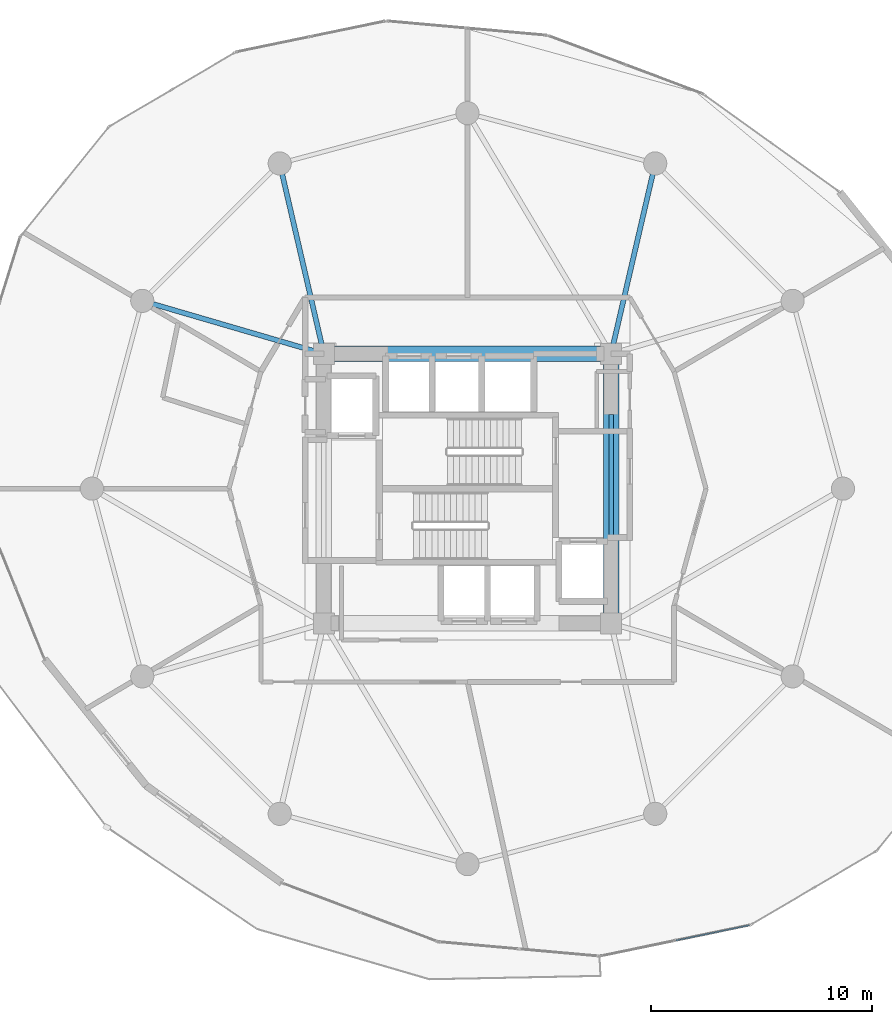
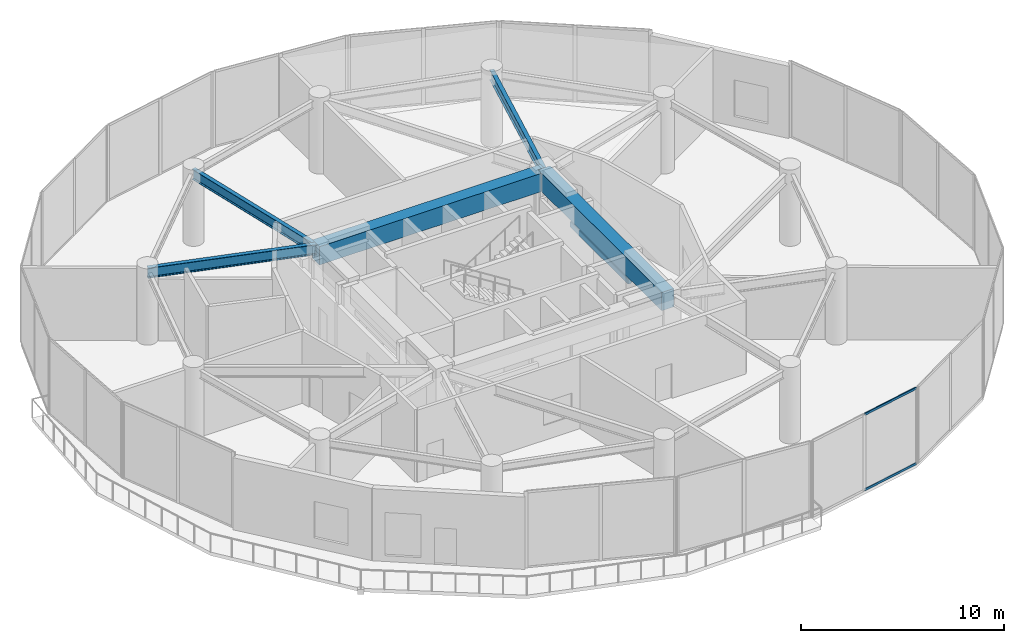
# One storey, part 10 of 28: 6 beams, 2 members, 1 element without a shape of its own.
"""IFC4 building model written with IfcOpenShell, lengths in metres."""

from ifc_helpers import new_model, si_unit, direction, frame, origin, origin_2d, place, context, subcontext, project, spatial, rectangle, hollow_rectangle, i_section, extrude, source, transform, mapped, material, layer, layer_set, material_profile, profile_set, type_object, element, aggregate, save


model = new_model("IFC4")

# Units and contexts
model_context = context("Model", 3, precision=1e-05, world=origin(), true_north=direction((0.0, 1.0)))
body_context = subcontext(model_context, "Body", "Model", "MODEL_VIEW")
ifc_project = project(units=[si_unit("LENGTHUNIT", "METRE"), si_unit("AREAUNIT", "SQUARE_METRE"), si_unit("VOLUMEUNIT", "CUBIC_METRE"), si_unit("PLANEANGLEUNIT", "RADIAN"), si_unit("MASSUNIT", "GRAM", prefix="KILO")], contexts=[model_context])

# Site, building, storey
site_placement = place(None, origin())
site = spatial("IfcSite", under=ifc_project, at=site_placement, CompositionType="ELEMENT")
building_placement = place(site_placement, origin())
building = spatial("IfcBuilding", under=site, at=building_placement, Name="Solvirekh Grand Hotel", CompositionType="ELEMENT")
storey_placement = place(building_placement, frame((0.0, 0.0, 98.0)))
storey = spatial("IfcBuildingStorey", under=building, at=storey_placement, Name="L24", CompositionType="ELEMENT", Elevation=98.0)

# Beams
ifc_material_1 = material(Name="Concrete C60/75", Category="concrete")
ifc_material_profile_1 = material_profile(ifc_material_1, rectangle(XDim=0.699951171875, YDim=1.10009765625, at=origin_2d()), Name="RC BEAM 700X1100")
ifc_profile_set_1 = profile_set([ifc_material_profile_1], Name="Concrete C60/75")
beam_type_1 = type_object("IfcBeamType", Name="Beam_Core_RC1100", PredefinedType="BEAM", material=ifc_profile_set_1)
beam_1_placement = place(storey_placement, frame((6.5, -6.10009765625, 3.800048828125), z_axis=(0.0, 1.0, 0.0), x_axis=(-1.0, 0.0, 0.0)))
element("IfcBeam", 1, at=beam_1_placement, inside=storey, type_object=beam_type_1, Name="L24 core coupling ring beam 2", PredefinedType="BEAM", context=body_context, shape_type="SweptSolid", body=[
    extrude(rectangle(XDim=0.699951171875, YDim=1.10009765625, at=origin_2d()), origin(), (0.0, 0.0, 1.0), 12.2001953125),
])
beam_2_placement = place(storey_placement, frame((6.5, 6.10009765625, 3.800048828125), z_axis=(-1.0, 0.0, 0.0), x_axis=(0.0, -1.0, 0.0)))
element("IfcBeam", 2, at=beam_2_placement, inside=storey, type_object=beam_type_1, Name="L24 core coupling ring beam 3", PredefinedType="BEAM", context=body_context, shape_type="SweptSolid", body=[
    extrude(rectangle(XDim=0.699951171875, YDim=1.10009765625, at=origin_2d()), origin(), (0.0, 0.0, 1.0), 13.0),
])
ifc_material_2 = material(Name="Steel S355", Category="steel")
ifc_material_profile_2 = material_profile(ifc_material_2, i_section(OverallWidth=0.22802734375, OverallDepth=0.616943359375, WebThickness=0.012939453125, FlangeThickness=0.02001953125, FilletRadius=0.014892578125, at=origin_2d()), Name="W610X140")
ifc_profile_set_2 = profile_set([ifc_material_profile_2], Name="Steel S355")
beam_type_2 = type_object("IfcBeamType", Name="Beam_Radial_W610", PredefinedType="BEAM", material=ifc_profile_set_2)
for number, where, z_axis, x_axis, name in (
    (3, (6.5, 6.10009765625, 4.041015625), (0.225969390542, 0.974134402707, 0.0), (-0.974134402707, 0.225969390542, 0.0), "L24 radial floor beam R03"),
    (4, (-6.5, 6.10009765625, 4.041015625), (-0.225969390542, 0.974134402707, 0.0), (-0.974134402707, -0.225969390542, 0.0), "L24 radial floor beam R05"),
):
    element("IfcBeam", number, at=place(storey_placement, frame(where, z_axis=z_axis, x_axis=x_axis)), inside=storey, type_object=beam_type_2, Name=name, PredefinedType="BEAM", context=body_context, shape_type="SweptSolid", body=[
        extrude(i_section(OverallWidth=0.22802734375, OverallDepth=0.616943359375, WebThickness=0.012939453125, FlangeThickness=0.02001953125, FilletRadius=0.014892578125, at=origin_2d()), origin(), (0.0, 0.0, 1.0), 8.850830078125),
    ])
beam_3_placement = place(storey_placement, frame((-6.5, 6.10009765625, 4.041015625), z_axis=(-0.959942195467, 0.28019811092, 0.0), x_axis=(-0.28019811092, -0.959942195467, 0.0)))
element("IfcBeam", 5, at=beam_3_placement, inside=storey, type_object=beam_type_2, Name="L24 radial floor beam R06", PredefinedType="BEAM", context=body_context, shape_type="SweptSolid", body=[
    extrude(i_section(OverallWidth=0.22802734375, OverallDepth=0.616943359375, WebThickness=0.012939453125, FlangeThickness=0.02001953125, FilletRadius=0.014892578125, at=origin_2d()), origin(), (0.0, 0.0, 1.0), 8.56494140625),
])
ifc_material_3 = material(Name="Precast concrete C45/55", Category="concrete")
ifc_material_profile_3 = material_profile(ifc_material_3, rectangle(XDim=0.199951171875, YDim=0.320068359375, at=origin_2d()), Name="RC LINTEL 200X320")
ifc_profile_set_3 = profile_set([ifc_material_profile_3], Name="Precast concrete C45/55")
beam_type_3 = type_object("IfcBeamType", Name="Lintel_RC320", PredefinedType="LINTEL", material=ifc_profile_set_3)
beam_4_placement = place(storey_placement, frame((6.5, -2.35009765625, 2.64990234375), z_axis=(0.0, 1.0, 0.0), x_axis=(-1.0, 0.0, 0.0)))
element("IfcBeam", 6, at=beam_4_placement, inside=storey, type_object=beam_type_3, Name="L24 east core lobby RC lintel", PredefinedType="LINTEL", context=body_context, shape_type="SweptSolid", body=[
    extrude(rectangle(XDim=0.199951171875, YDim=0.320068359375, at=origin_2d()), origin(), (0.0, 0.0, 1.0), 5.7001953125),
])

# Curtain wall, members
ifc_material_4 = material(Name="Anodized Bronze Aluminium 6063-T6", Category="aluminium")
ifc_layer = layer(ifc_material_4, 0.18994140625)
ifc_layer_set = layer_set([ifc_layer], Name="Anodized Bronze Aluminium 6063-T6")
curtain_wall_type = type_object("IfcCurtainWallType", Name="CW_Sys5_SkyLobbyPanoramaCW", PredefinedType="NOTDEFINED", material=ifc_layer_set)
curtain_wall_placement = place(storey_placement, origin())
curtain_wall = element("IfcCurtainWall", 7, at=curtain_wall_placement, inside=storey, type_object=curtain_wall_type, Name="L24 unitised bronze-glass curtain wall CW-L24-C18", PredefinedType="NOTDEFINED")
ifc_material_profile_4 = material_profile(ifc_material_4, hollow_rectangle(XDim=0.06005859375, YDim=0.135009765625, WallThickness=0.00390625, at=origin_2d()), Name="ALU RHS 135X60X4")
ifc_profile_set_4 = profile_set([ifc_material_profile_4], Name="Anodized Bronze Aluminium 6063-T6")
member_type = type_object("IfcMemberType", Name="CWTransom_Sys5", PredefinedType="USERDEFINED", material=ifc_profile_set_4)
shared_shape = source(origin(), body_context, "Body", "SweptSolid", [
    extrude(hollow_rectangle(XDim=0.06005859375, YDim=0.135009765625, WallThickness=0.00390625, at=origin_2d()), origin(), (0.0, 0.0, 1.0), 3.3896484375),
])
member_1_placement = place(storey_placement, frame((9.441162109375, -20.454345703125, 0.030029296875), z_axis=(0.979231337231, 0.202746117557, 0.0), x_axis=(-0.202746117557, 0.979231337231, 0.0)))
member_1 = element("IfcMember", 8, at=member_1_placement, type_object=member_type, Name="U05 transom 2.1", ObjectType="TRANSOM", PredefinedType="USERDEFINED", context=body_context, shape_type="MappedRepresentation", body=[
    mapped(shared_shape, transform((0.0, 0.0, 0.0), x_axis=(1.0, 0.0, 0.0), y_axis=(0.0, 1.0, 0.0), z_axis=(0.0, 0.0, 1.0), scale=1.0)),
])
member_2_placement = place(storey_placement, frame((9.441162109375, -20.454345703125, 4.570068359375), z_axis=(0.979231337231, 0.202746117557, 0.0), x_axis=(-0.202746117557, 0.979231337231, 0.0)))
member_2 = element("IfcMember", 9, at=member_2_placement, type_object=member_type, Name="U05 transom 2.2", ObjectType="TRANSOM", PredefinedType="USERDEFINED", context=body_context, shape_type="MappedRepresentation", body=[
    mapped(shared_shape, transform((0.0, 0.0, 0.0), x_axis=(1.0, 0.0, 0.0), y_axis=(0.0, 1.0, 0.0), z_axis=(0.0, 0.0, 1.0), scale=1.0)),
])
aggregate(curtain_wall, [member_1, member_2])

save(model, "model.ifc")
